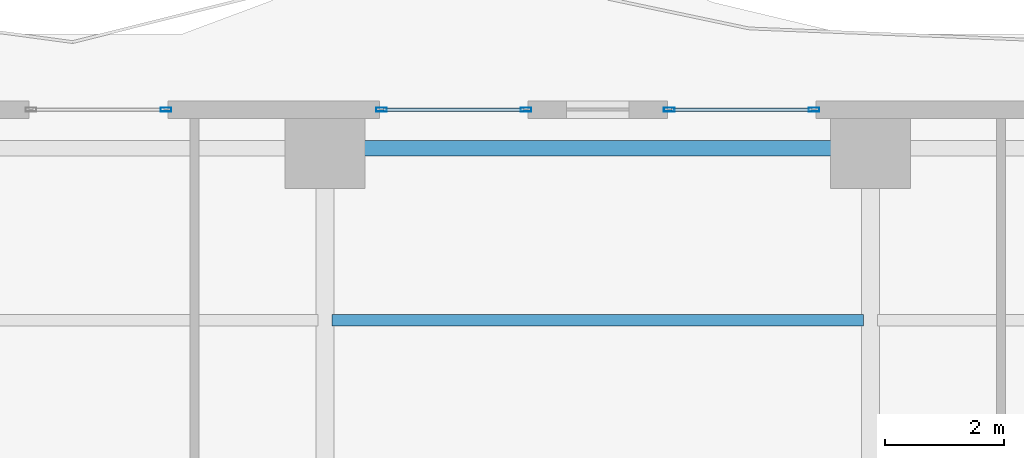
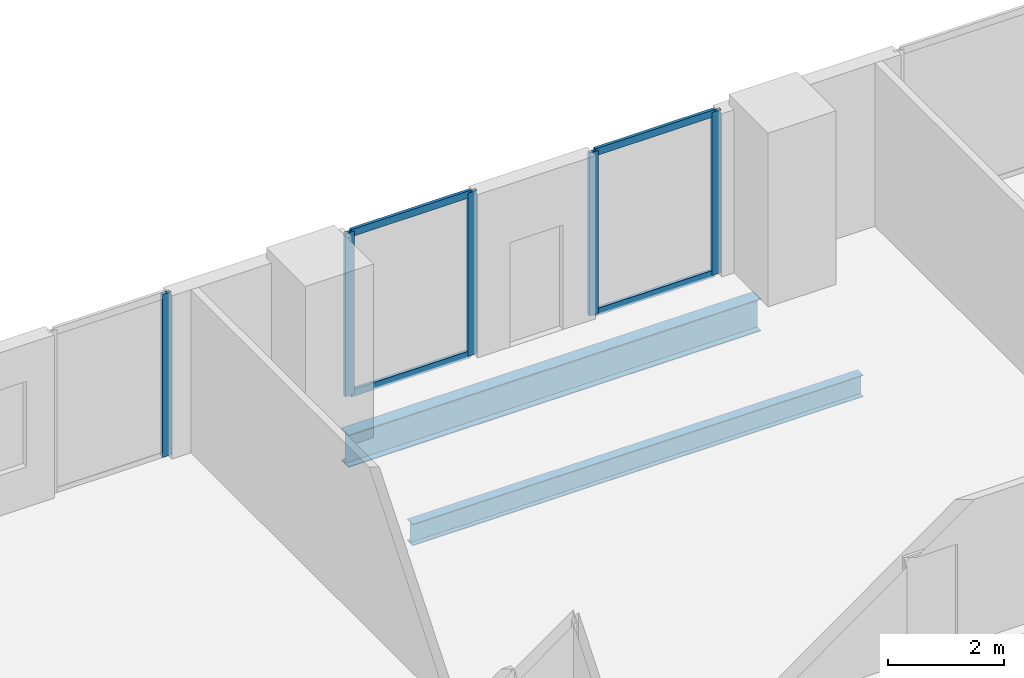
# One storey, part 17 of 28: 9 members, 2 beams, 3 elements without a shape of their own.
"""IFC4 building model written with IfcOpenShell, lengths in metres."""

from ifc_helpers import new_model, si_unit, direction, frame, origin, origin_2d, place, context, subcontext, project, spatial, hollow_rectangle, i_section, extrude, material, layer, layer_set, material_profile, profile_set, type_object, element, aggregate, save


model = new_model("IFC4")

# Units and contexts
model_context = context("Model", 3, precision=1e-05, world=origin(), true_north=direction((0.0, 1.0)))
body_context = subcontext(model_context, "Body", "Model", "MODEL_VIEW")
ifc_project = project(units=[si_unit("LENGTHUNIT", "METRE"), si_unit("AREAUNIT", "SQUARE_METRE"), si_unit("VOLUMEUNIT", "CUBIC_METRE"), si_unit("PLANEANGLEUNIT", "RADIAN"), si_unit("MASSUNIT", "GRAM", prefix="KILO")], contexts=[model_context])

# Site, building, storey
site_placement = place(None, origin())
site = spatial("IfcSite", under=ifc_project, at=site_placement, CompositionType="ELEMENT")
building_placement = place(site_placement, origin())
building = spatial("IfcBuilding", under=site, at=building_placement, Name="Zuhayl Quay Hotel", CompositionType="ELEMENT")
storey_placement = place(building_placement, frame((0.0, 0.0, 139.449951171875)))
storey = spatial("IfcBuildingStorey", under=building, at=storey_placement, Name="L35", CompositionType="ELEMENT", Elevation=139.449951171875)

# Beams
ifc_material_1 = material(Name="Steel ASTM A992 Grade 50", Category="steel")
ifc_material_profile_1 = material_profile(ifc_material_1, i_section(OverallWidth=0.25390625, OverallDepth=0.68310546875, WebThickness=0.012451171875, FlangeThickness=0.018798828125, at=origin_2d()), Name="W27X94")
ifc_profile_set_1 = profile_set([ifc_material_profile_1], Name="Steel ASTM A992 Grade 50")
beam_type_1 = type_object("IfcBeamType", Name="BM_B2_W27X94", PredefinedType="BEAM", material=ifc_profile_set_1)
beam_1_placement = place(storey_placement, frame((4.10009765625, 27.75, -0.5615234375), z_axis=(-1.0, 0.0, 0.0), x_axis=(0.0, -1.0, 0.0)))
element("IfcBeam", 1, at=beam_1_placement, inside=storey, type_object=beam_type_1, Name="L35 Floor Beam RG_L35_08", PredefinedType="BEAM", context=body_context, shape_type="SweptSolid", body=[
    extrude(i_section(OverallWidth=0.25390625, OverallDepth=0.68310546875, WebThickness=0.012451171875, FlangeThickness=0.018798828125, at=origin_2d()), origin(), (0.0, 0.0, 1.0), 8.2001953125),
])
ifc_material_profile_2 = material_profile(ifc_material_1, i_section(OverallWidth=0.18994140625, OverallDepth=0.45703125, WebThickness=0.009033203125, FlangeThickness=0.014404296875, at=origin_2d()), Name="W18X50")
ifc_profile_set_2 = profile_set([ifc_material_profile_2], Name="Steel ASTM A992 Grade 50")
beam_type_2 = type_object("IfcBeamType", Name="BM_J2_W18X50", PredefinedType="JOIST", material=ifc_profile_set_2)
beam_2_placement = place(storey_placement, frame((-4.48095703125, 24.85009765625, -0.448486328125), z_axis=(1.0, 0.0, 0.0), x_axis=(0.0, 1.0, 0.0)))
element("IfcBeam", 2, at=beam_2_placement, inside=storey, type_object=beam_type_2, Name="L35 Floor Beam FJ_L35_4_2", PredefinedType="JOIST", context=body_context, shape_type="SweptSolid", body=[
    extrude(i_section(OverallWidth=0.18994140625, OverallDepth=0.45703125, WebThickness=0.009033203125, FlangeThickness=0.014404296875, at=origin_2d()), origin(), (0.0, 0.0, 1.0), 8.9619140625),
])

# Curtain wall, member
ifc_material_2 = material(Name="Anodised Aluminium 6063-T6", Category="aluminium")
ifc_layer = layer(ifc_material_2, 0.179931640625, Name="Anodised Aluminium 6063-T6", Category="aluminium")
ifc_layer_set = layer_set([ifc_layer], Name="Anodised Aluminium 6063-T6")
curtain_wall_type = type_object("IfcCurtainWallType", Name="CW_SYS_Z2", PredefinedType="USERDEFINED", material=ifc_layer_set)
curtain_wall_1_placement = place(storey_placement, origin())
curtain_wall_1 = element("IfcCurtainWall", 3, at=curtain_wall_1_placement, inside=storey, type_object=curtain_wall_type, Name="L35 Curtain Wall ENV_L35_N_CW2", ObjectType="UNITISED CURTAIN WALL", PredefinedType="USERDEFINED")
ifc_material_3 = material(Name="Black-anodised aluminium 6063-T6", Category="aluminium")
ifc_material_profile_3 = material_profile(ifc_material_3, hollow_rectangle(XDim=0.06494140625, YDim=0.179931640625, WallThickness=0.00341796875, at=origin_2d()), Name="ALU180X65")
ifc_profile_set_3 = profile_set([ifc_material_profile_3], Name="Black-anodised aluminium 6063-T6")
member_type_1 = type_object("IfcMemberType", Name="MB_CW_MUL_180", PredefinedType="MULLION", material=ifc_profile_set_3)
member_1_placement = place(storey_placement, frame((-7.282470703125, 28.39990234375, 0.0), z_axis=(0.0, 0.0, 1.0), x_axis=(0.0, 1.0, 0.0)))
member_1 = element("IfcMember", 4, at=member_1_placement, type_object=member_type_1, Name="CW-Z2 mullion 2", PredefinedType="MULLION", context=body_context, shape_type="SweptSolid", body=[
    extrude(hollow_rectangle(XDim=0.06494140625, YDim=0.179931640625, WallThickness=0.00341796875, at=origin_2d()), origin(), (0.0, 0.0, 1.0), 3.429931640625),
])
aggregate(curtain_wall_1, [member_1])

# Curtain wall, members
curtain_wall_2_placement = place(storey_placement, origin())
curtain_wall_2 = element("IfcCurtainWall", 5, at=curtain_wall_2_placement, inside=storey, type_object=curtain_wall_type, Name="L35 Curtain Wall ENV_L35_N_CW3", ObjectType="UNITISED CURTAIN WALL", PredefinedType="USERDEFINED")
member_2_placement = place(storey_placement, frame((-3.6474609375, 28.39990234375, 0.0), z_axis=(0.0, 0.0, 1.0), x_axis=(0.0, 1.0, 0.0)))
member_2 = element("IfcMember", 6, at=member_2_placement, type_object=member_type_1, Name="CW-Z2 mullion 1", PredefinedType="MULLION", context=body_context, shape_type="SweptSolid", body=[
    extrude(hollow_rectangle(XDim=0.06494140625, YDim=0.179931640625, WallThickness=0.00341796875, at=origin_2d()), origin(), (0.0, 0.0, 1.0), 3.429931640625),
])
member_3_placement = place(storey_placement, frame((-1.20751953125, 28.39990234375, 0.0), z_axis=(0.0, 0.0, 1.0), x_axis=(0.0, 1.0, 0.0)))
member_3 = element("IfcMember", 7, at=member_3_placement, type_object=member_type_1, Name="CW-Z2 mullion 2", PredefinedType="MULLION", context=body_context, shape_type="SweptSolid", body=[
    extrude(hollow_rectangle(XDim=0.06494140625, YDim=0.179931640625, WallThickness=0.00341796875, at=origin_2d()), origin(), (0.0, 0.0, 1.0), 3.429931640625),
])

curtain_wall_3_placement = place(storey_placement, origin())
curtain_wall_3 = element("IfcCurtainWall", 8, at=curtain_wall_3_placement, inside=storey, type_object=curtain_wall_type, Name="L35 Curtain Wall ENV_L35_N_CW4", ObjectType="UNITISED CURTAIN WALL", PredefinedType="USERDEFINED")
member_4_placement = place(storey_placement, frame((1.20751953125, 28.39990234375, 0.0), z_axis=(0.0, 0.0, 1.0), x_axis=(0.0, 1.0, 0.0)))
member_4 = element("IfcMember", 9, at=member_4_placement, type_object=member_type_1, Name="CW-Z2 mullion 1", PredefinedType="MULLION", context=body_context, shape_type="SweptSolid", body=[
    extrude(hollow_rectangle(XDim=0.06494140625, YDim=0.179931640625, WallThickness=0.00341796875, at=origin_2d()), origin(), (0.0, 0.0, 1.0), 3.429931640625),
])
member_5_placement = place(storey_placement, frame((3.6474609375, 28.39990234375, 0.0), z_axis=(0.0, 0.0, 1.0), x_axis=(0.0, 1.0, 0.0)))
member_5 = element("IfcMember", 10, at=member_5_placement, type_object=member_type_1, Name="CW-Z2 mullion 2", PredefinedType="MULLION", context=body_context, shape_type="SweptSolid", body=[
    extrude(hollow_rectangle(XDim=0.06494140625, YDim=0.179931640625, WallThickness=0.00341796875, at=origin_2d()), origin(), (0.0, 0.0, 1.0), 3.429931640625),
])

# Member
ifc_material_profile_4 = material_profile(ifc_material_3, hollow_rectangle(XDim=0.06005859375, YDim=0.14990234375, WallThickness=0.00341796875, at=origin_2d()), Name="ALU150X60")
ifc_profile_set_4 = profile_set([ifc_material_profile_4], Name="Black-anodised aluminium 6063-T6")
member_type_2 = type_object("IfcMemberType", Name="MB_CW_TRN_150", PredefinedType="USERDEFINED", material=ifc_profile_set_4)
member_6_placement = place(storey_placement, frame((-3.614990234375, 28.39990234375, 0.030029296875), z_axis=(1.0, 0.0, 0.0), x_axis=(0.0, 1.0, 0.0)))
member_6 = element("IfcMember", 11, at=member_6_placement, type_object=member_type_2, Name="CW-Z2 transom 1.1", ObjectType="TRANSOM", PredefinedType="USERDEFINED", context=body_context, shape_type="SweptSolid", body=[
    extrude(hollow_rectangle(XDim=0.06005859375, YDim=0.14990234375, WallThickness=0.00341796875, at=origin_2d()), origin(), (0.0, 0.0, 1.0), 2.375),
])

member_7_placement = place(storey_placement, frame((-3.614990234375, 28.39990234375, 3.400146484375), z_axis=(1.0, 0.0, 0.0), x_axis=(0.0, 1.0, 0.0)))
member_7 = element("IfcMember", 12, at=member_7_placement, type_object=member_type_2, Name="CW-Z2 transom 1.2", ObjectType="TRANSOM", PredefinedType="USERDEFINED", context=body_context, shape_type="SweptSolid", body=[
    extrude(hollow_rectangle(XDim=0.06005859375, YDim=0.14990234375, WallThickness=0.00341796875, at=origin_2d()), origin(), (0.0, 0.0, 1.0), 2.375),
])

aggregate(curtain_wall_2, [member_2, member_3, member_6, member_7])

member_8_placement = place(storey_placement, frame((1.239990234375, 28.39990234375, 0.030029296875), z_axis=(1.0, 0.0, 0.0), x_axis=(0.0, 1.0, 0.0)))
member_8 = element("IfcMember", 13, at=member_8_placement, type_object=member_type_2, Name="CW-Z2 transom 1.1", ObjectType="TRANSOM", PredefinedType="USERDEFINED", context=body_context, shape_type="SweptSolid", body=[
    extrude(hollow_rectangle(XDim=0.06005859375, YDim=0.14990234375, WallThickness=0.00341796875, at=origin_2d()), origin(), (0.0, 0.0, 1.0), 2.375),
])

member_9_placement = place(storey_placement, frame((1.239990234375, 28.39990234375, 3.400146484375), z_axis=(1.0, 0.0, 0.0), x_axis=(0.0, 1.0, 0.0)))
member_9 = element("IfcMember", 14, at=member_9_placement, type_object=member_type_2, Name="CW-Z2 transom 1.2", ObjectType="TRANSOM", PredefinedType="USERDEFINED", context=body_context, shape_type="SweptSolid", body=[
    extrude(hollow_rectangle(XDim=0.06005859375, YDim=0.14990234375, WallThickness=0.00341796875, at=origin_2d()), origin(), (0.0, 0.0, 1.0), 2.375),
])

aggregate(curtain_wall_3, [member_4, member_5, member_8, member_9])

save(model, "model.ifc")
